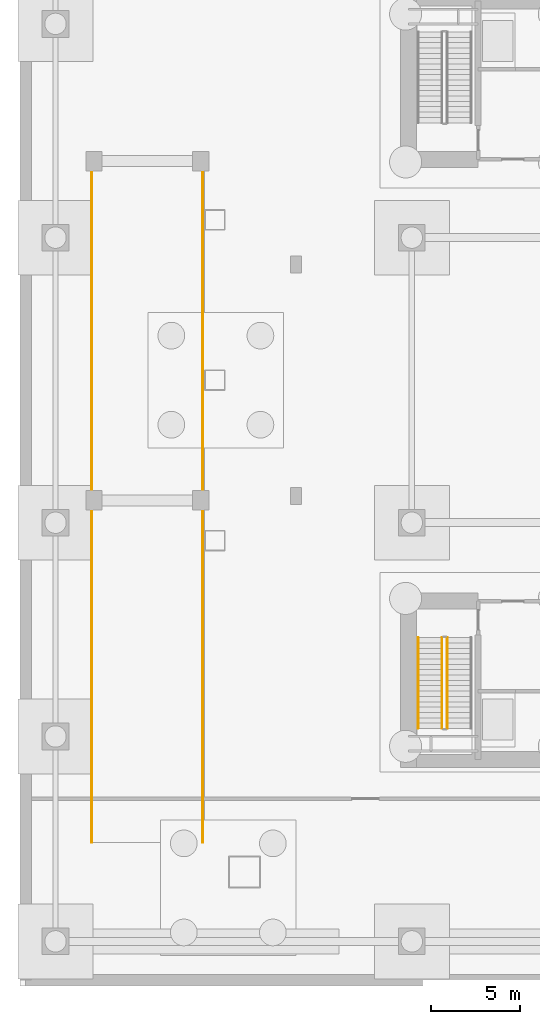
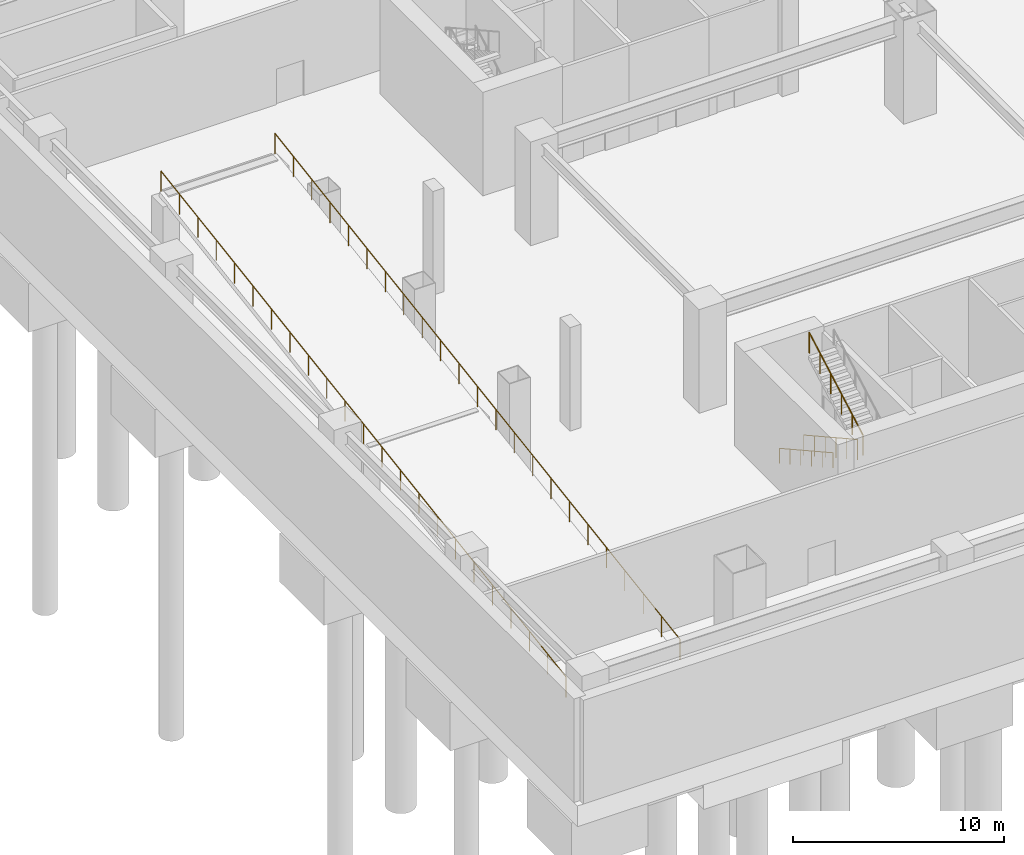
# One storey, part 15 of 20: 5 railings.
"""IFC4 building model written with IfcOpenShell, lengths in metres."""

import ifcopenshell
import ifcopenshell.guid

model = None  # the IFC model being written
_history = None  # IfcOwnerHistory: only IFC2X3 demands one
_inside = {}  # id of a spatial element -> (the spatial element, [elements in it])
_under = {}  # id of a project, library or spatial element -> (it, [spatial elements below it])
_declared = {}  # id of a project -> (the project, [libraries it declares])
_typed = {}  # id of a type object -> (the type object, [elements of that type])
_made_of = {}  # id of a material, layer set ... -> (it, [elements and type objects made of it])


def new_model(schema):
    """Start an empty IFC model of exactly this schema.

    Asked for "IFC4X3", IfcOpenShell would pick the latest addendum, in which some entities
    have other attributes; the version numbers below select the first issue.
    IFC2X3 requires an IfcOwnerHistory on every rooted entity: one is made here for all.
    """
    global model, _history
    if schema == "IFC4X3":
        model = ifcopenshell.file(schema_version=(4, 3, 0, 0))
    else:
        model = ifcopenshell.file(schema=schema)
    _inside.clear()
    _under.clear()
    _declared.clear()
    _typed.clear()
    _made_of.clear()
    _history = None
    if model.schema == "IFC2X3":
        org = make("IfcOrganization", Name="unknown")
        user = make(
            "IfcPersonAndOrganization",
            ThePerson=make("IfcPerson", FamilyName="unknown"),
            TheOrganization=org,
        )
        app = make(
            "IfcApplication",
            ApplicationDeveloper=org,
            Version="unknown",
            ApplicationFullName="unknown",
            ApplicationIdentifier="unknown",
        )
        _history = make(
            "IfcOwnerHistory",
            OwningUser=user,
            OwningApplication=app,
            ChangeAction="ADDED",
            CreationDate=0,
        )
    return model


def make(cls, **values):
    """One entity of the class cls with the attributes given. An attribute that is None is left unset."""
    return model.create_entity(
        cls, **{name: value for name, value in values.items() if value is not None}
    )


def rooted(cls, **values):
    """An entity with a GlobalId (a new one), such as an element, a storey or a relation."""
    return make(cls, GlobalId=ifcopenshell.guid.new(), OwnerHistory=_history, **values)


def si_unit(unit_type, name, prefix=None):
    """IfcSIUnit, for example si_unit("LENGTHUNIT", "METRE", prefix="MILLI")."""
    return make("IfcSIUnit", UnitType=unit_type, Prefix=prefix, Name=name)


def assignment(units):
    """IfcUnitAssignment: the units of a project."""
    return None if units is None else make("IfcUnitAssignment", Units=units)


def point(xyz):
    """IfcCartesianPoint."""
    return None if xyz is None else make("IfcCartesianPoint", Coordinates=xyz)


def direction(xyz):
    """IfcDirection."""
    return None if xyz is None else make("IfcDirection", DirectionRatios=xyz)


def frame(location, z_axis=None, x_axis=None):
    """IfcAxis2Placement3D, a coordinate frame: its origin and axes. An axis left out is left unset."""
    return make(
        "IfcAxis2Placement3D",
        Location=point(location),
        Axis=direction(z_axis),
        RefDirection=direction(x_axis),
    )


def frame_2d(location, x_axis=None):
    """IfcAxis2Placement2D, a coordinate frame in the plane: its origin and x axis."""
    return make(
        "IfcAxis2Placement2D", Location=point(location), RefDirection=direction(x_axis)
    )


def origin():
    """The frame at (0, 0, 0) with its axes left unset."""
    return frame((0.0, 0.0, 0.0))


def origin_2d():
    """The frame at (0, 0) in the plane with its x axis left unset."""
    return frame_2d((0.0, 0.0))


def place(relative_to, where):
    """IfcLocalPlacement: puts the frame where relative to a parent placement (None: the world)."""
    return make(
        "IfcLocalPlacement", PlacementRelTo=relative_to, RelativePlacement=where
    )


def context(
    kind, dimensions, precision=None, world=None, true_north=None, identifier=None
):
    """IfcGeometricRepresentationContext, for example the 3D "Model" context."""
    return make(
        "IfcGeometricRepresentationContext",
        ContextIdentifier=identifier,
        ContextType=kind,
        CoordinateSpaceDimension=dimensions,
        Precision=precision,
        WorldCoordinateSystem=world,
        TrueNorth=true_north,
    )


def subcontext(parent, identifier, kind, view, scale=None):
    """IfcGeometricRepresentationSubContext, for example "Body" below "Model"."""
    return make(
        "IfcGeometricRepresentationSubContext",
        ContextIdentifier=identifier,
        ContextType=kind,
        ParentContext=parent,
        TargetScale=scale,
        TargetView=view,
    )


def project(units=None, contexts=None):
    """IfcProject with its units and contexts."""
    return rooted(
        "IfcProject",
        Name="project",
        RepresentationContexts=contexts,
        UnitsInContext=assignment(units),
    )


def spatial(cls, under=None, at=None, **own):
    """A site, building, storey or space (cls), placed at a placement, below another one or the project."""
    s = rooted(cls, ObjectPlacement=at, **own)
    if under is not None:
        _under.setdefault(under.id(), (under, []))[1].append(s)
    return s


def profile(cls, at=None, kind="AREA", **sizes):
    """A parametric profile (cls). Its sizes go by their IFC names, for example OverallWidth=200.0."""
    return make(cls, ProfileType=kind, Position=at, **sizes)


def circle(**sizes):
    """IfcCircleProfileDef."""
    return profile("IfcCircleProfileDef", **sizes)


def extrude(swept, where, along, depth):
    """IfcExtrudedAreaSolid: the profile swept, set in the frame where, extruded along a direction by depth."""
    return make(
        "IfcExtrudedAreaSolid",
        SweptArea=swept,
        Position=where,
        ExtrudedDirection=direction(along),
        Depth=depth,
    )


def shape(context_of_items, identifier, shape_type, items):
    """IfcShapeRepresentation: the items that make up one representation, for example the "Body"."""
    return make(
        "IfcShapeRepresentation",
        ContextOfItems=context_of_items,
        RepresentationIdentifier=identifier,
        RepresentationType=shape_type,
        Items=items,
    )


def material(Name=None, Category=None):
    """IfcMaterial."""
    return make("IfcMaterial", Name=Name, Category=Category)


def made_of(thing, what):
    """Note that an element or type object is made of a material, layer set ...; save() writes the relation."""
    if what is not None:
        _made_of.setdefault(what.id(), (what, []))[1].append(thing)
    return thing


def type_object(cls, material=None, **own):
    """A type object (cls), such as IfcWallType, which elements share."""
    return made_of(rooted(cls, **own), material)


def element(
    cls,
    number,
    at=None,
    inside=None,
    cuts=None,
    type_object=None,
    material=None,
    context=None,
    identifier="Body",
    shape_type=None,
    held_by="IfcProductDefinitionShape",
    body=None,
    shapes=None,
    **own,
):
    """One element of the class cls, such as IfcWall. Its Tag is "e" and its number.

    at: its placement. inside: the storey or other place that contains it. cuts: it is an
    opening in that element (IfcRelVoidsElement). A single representation is given by context,
    identifier, shape_type and body (its items); several are given by shapes. held_by: the class
    of the entity that holds the representations. save() writes the other relations.
    """
    e = rooted(cls, Tag="e%d" % number, ObjectPlacement=at, **own)
    if body is not None:
        shapes = [shape(context, identifier, shape_type, body)]
    if shapes is not None:
        e.Representation = make(held_by, Representations=shapes)
    if inside is not None:
        _inside.setdefault(inside.id(), (inside, []))[1].append(e)
    if cuts is not None:
        rooted(
            "IfcRelVoidsElement", RelatingBuildingElement=cuts, RelatedOpeningElement=e
        )
    if type_object is not None:
        _typed.setdefault(type_object.id(), (type_object, []))[1].append(e)
    return made_of(e, material)


def aggregate(whole, parts):
    """IfcRelAggregates: a whole, such as a stair, and the parts it consists of."""
    return rooted("IfcRelAggregates", RelatingObject=whole, RelatedObjects=parts)


def save(model, path):
    """Write the relations noted so far, then the file.

    IfcRelAggregates (storeys below a building ...), IfcRelContainedInSpatialStructure (elements
    in a storey), IfcRelDefinesByType, IfcRelAssociatesMaterial and IfcRelDeclares: one each for
    every whole, place, type object, material and project.
    """
    for whole, parts in _under.values():
        aggregate(whole, parts)
    for where, things in _inside.values():
        rooted(
            "IfcRelContainedInSpatialStructure",
            RelatedElements=things,
            RelatingStructure=where,
        )
    for kind, things in _typed.values():
        rooted("IfcRelDefinesByType", RelatedObjects=things, RelatingType=kind)
    for what, things in _made_of.values():
        rooted("IfcRelAssociatesMaterial", RelatedObjects=things, RelatingMaterial=what)
    for by, libraries in _declared.values():
        rooted("IfcRelDeclares", RelatingContext=by, RelatedDefinitions=libraries)
    model.write(path)


model = new_model("IFC4")

# Units and contexts
model_context = context("Model", 3, precision=1e-05, world=origin(), true_north=direction((0.0, 1.0)))
body_context = subcontext(model_context, "Body", "Model", "MODEL_VIEW")
ifc_project = project(units=[si_unit("LENGTHUNIT", "METRE"), si_unit("AREAUNIT", "SQUARE_METRE"), si_unit("VOLUMEUNIT", "CUBIC_METRE"), si_unit("PLANEANGLEUNIT", "RADIAN"), si_unit("MASSUNIT", "GRAM", prefix="KILO")], contexts=[model_context])

# Site, building, storey
site_placement = place(None, origin())
site = spatial("IfcSite", under=ifc_project, at=site_placement, CompositionType="ELEMENT")
building_placement = place(site_placement, origin())
building = spatial("IfcBuilding", under=site, at=building_placement, Name="Qiaolan Cultural Towers", CompositionType="ELEMENT")
storey_placement = place(building_placement, frame((0.0, 0.0, -12.0)))
storey = spatial("IfcBuildingStorey", under=building, at=storey_placement, Name="B2", CompositionType="ELEMENT", Elevation=-12.0)

# Railings
ifc_material_1 = material(Name="Laminated SentryGlas & Stainless Steel S31608 Balustrade", Category="steel")
railing_type_1 = type_object("IfcRailingType", Name="GRD-TERR-1200", PredefinedType="BALUSTRADE", material=ifc_material_1)
railing_1_placement = place(storey_placement, frame((4.030029296875, 8.050048828125, 0.0)))
element("IfcRailing", 1, at=railing_1_placement, inside=storey, type_object=railing_type_1, Name="Vehicle Ramp B2-B1 West Flight Guardrail", PredefinedType="BALUSTRADE", context=body_context, shape_type="SweptSolid", body=[
    extrude(circle(Radius=0.02392578125, at=origin_2d()), frame((0.0, 0.0, 1.17578125), z_axis=(0.0, 0.9880426051, 0.154181096462), x_axis=(-1.0, 0.0, 0.0)), (0.0, 0.0, 1.0), 38.915283203125),
    extrude(circle(Radius=0.02099609375, at=origin_2d()), origin(), (0.0, 0.0, 1.0), 1.15185546875),
    extrude(circle(Radius=0.02099609375, at=origin_2d()), frame((0.0, 1.747802734375, 0.272705078125)), (0.0, 0.0, 1.0), 1.15185546875),
    extrude(circle(Radius=0.02099609375, at=origin_2d()), frame((0.0, 3.495361328125, 0.54541015625)), (0.0, 0.0, 1.0), 1.15185546875),
    extrude(circle(Radius=0.02099609375, at=origin_2d()), frame((0.0, 5.2431640625, 0.818115234375)), (0.0, 0.0, 1.0), 1.15185546875),
    extrude(circle(Radius=0.02099609375, at=origin_2d()), frame((0.0, 6.990966796875, 1.0908203125)), (0.0, 0.0, 1.0), 1.15185546875),
    extrude(circle(Radius=0.02099609375, at=origin_2d()), frame((0.0, 8.738525390625, 1.363525390625)), (0.0, 0.0, 1.0), 1.15185546875),
    extrude(circle(Radius=0.02099609375, at=origin_2d()), frame((0.0, 10.486328125, 1.636474609375)), (0.0, 0.0, 1.0), 1.15185546875),
    extrude(circle(Radius=0.02099609375, at=origin_2d()), frame((0.0, 12.234130859375, 1.9091796875)), (0.0, 0.0, 1.0), 1.15185546875),
    extrude(circle(Radius=0.02099609375, at=origin_2d()), frame((0.0, 13.981689453125, 2.181884765625)), (0.0, 0.0, 1.0), 1.15185546875),
    extrude(circle(Radius=0.02099609375, at=origin_2d()), frame((0.0, 15.7294921875, 2.45458984375)), (0.0, 0.0, 1.0), 1.15185546875),
    extrude(circle(Radius=0.02099609375, at=origin_2d()), frame((0.0, 17.477294921875, 2.727294921875)), (0.0, 0.0, 1.0), 1.15185546875),
    extrude(circle(Radius=0.02099609375, at=origin_2d()), frame((0.0, 19.22509765625, 3.0)), (0.0, 0.0, 1.0), 1.15185546875),
    extrude(circle(Radius=0.02099609375, at=origin_2d()), frame((0.0, 20.97265625, 3.272705078125)), (0.0, 0.0, 1.0), 1.15185546875),
    extrude(circle(Radius=0.02099609375, at=origin_2d()), frame((0.0, 22.720458984375, 3.54541015625)), (0.0, 0.0, 1.0), 1.15185546875),
    extrude(circle(Radius=0.02099609375, at=origin_2d()), frame((0.0, 24.46826171875, 3.818115234375)), (0.0, 0.0, 1.0), 1.15185546875),
    extrude(circle(Radius=0.02099609375, at=origin_2d()), frame((0.0, 26.2158203125, 4.0908203125)), (0.0, 0.0, 1.0), 1.15185546875),
    extrude(circle(Radius=0.02099609375, at=origin_2d()), frame((0.0, 27.963623046875, 4.363525390625)), (0.0, 0.0, 1.0), 1.15185546875),
    extrude(circle(Radius=0.02099609375, at=origin_2d()), frame((0.0, 29.71142578125, 4.636474609375)), (0.0, 0.0, 1.0), 1.15185546875),
    extrude(circle(Radius=0.02099609375, at=origin_2d()), frame((0.0, 31.458984375, 4.9091796875)), (0.0, 0.0, 1.0), 1.15185546875),
    extrude(circle(Radius=0.02099609375, at=origin_2d()), frame((0.0, 33.206787109375, 5.181884765625)), (0.0, 0.0, 1.0), 1.15185546875),
    extrude(circle(Radius=0.02099609375, at=origin_2d()), frame((0.0, 34.95458984375, 5.45458984375)), (0.0, 0.0, 1.0), 1.15185546875),
    extrude(circle(Radius=0.02099609375, at=origin_2d()), frame((0.0, 36.7021484375, 5.727294921875)), (0.0, 0.0, 1.0), 1.15185546875),
    extrude(circle(Radius=0.02099609375, at=origin_2d()), frame((0.0, 38.449951171875, 6.0)), (0.0, 0.0, 1.0), 1.15185546875),
])
railing_2_placement = place(storey_placement, frame((10.27001953125, 8.050048828125, 0.0)))
element("IfcRailing", 2, at=railing_2_placement, inside=storey, type_object=railing_type_1, Name="Vehicle Ramp B2-B1 East Flight Guardrail", PredefinedType="BALUSTRADE", context=body_context, shape_type="SweptSolid", body=[
    extrude(circle(Radius=0.02392578125, at=origin_2d()), frame((0.0, 0.0, 1.17578125), z_axis=(0.0, 0.9880426051, 0.154181096462), x_axis=(-1.0, 0.0, 0.0)), (0.0, 0.0, 1.0), 38.915283203125),
    extrude(circle(Radius=0.02099609375, at=origin_2d()), origin(), (0.0, 0.0, 1.0), 1.15185546875),
    extrude(circle(Radius=0.02099609375, at=origin_2d()), frame((0.0, 1.747802734375, 0.272705078125)), (0.0, 0.0, 1.0), 1.15185546875),
    extrude(circle(Radius=0.02099609375, at=origin_2d()), frame((0.0, 3.495361328125, 0.54541015625)), (0.0, 0.0, 1.0), 1.15185546875),
    extrude(circle(Radius=0.02099609375, at=origin_2d()), frame((0.0, 5.2431640625, 0.818115234375)), (0.0, 0.0, 1.0), 1.15185546875),
    extrude(circle(Radius=0.02099609375, at=origin_2d()), frame((0.0, 6.990966796875, 1.0908203125)), (0.0, 0.0, 1.0), 1.15185546875),
    extrude(circle(Radius=0.02099609375, at=origin_2d()), frame((0.0, 8.738525390625, 1.363525390625)), (0.0, 0.0, 1.0), 1.15185546875),
    extrude(circle(Radius=0.02099609375, at=origin_2d()), frame((0.0, 10.486328125, 1.636474609375)), (0.0, 0.0, 1.0), 1.15185546875),
    extrude(circle(Radius=0.02099609375, at=origin_2d()), frame((0.0, 12.234130859375, 1.9091796875)), (0.0, 0.0, 1.0), 1.15185546875),
    extrude(circle(Radius=0.02099609375, at=origin_2d()), frame((0.0, 13.981689453125, 2.181884765625)), (0.0, 0.0, 1.0), 1.15185546875),
    extrude(circle(Radius=0.02099609375, at=origin_2d()), frame((0.0, 15.7294921875, 2.45458984375)), (0.0, 0.0, 1.0), 1.15185546875),
    extrude(circle(Radius=0.02099609375, at=origin_2d()), frame((0.0, 17.477294921875, 2.727294921875)), (0.0, 0.0, 1.0), 1.15185546875),
    extrude(circle(Radius=0.02099609375, at=origin_2d()), frame((0.0, 19.22509765625, 3.0)), (0.0, 0.0, 1.0), 1.15185546875),
    extrude(circle(Radius=0.02099609375, at=origin_2d()), frame((0.0, 20.97265625, 3.272705078125)), (0.0, 0.0, 1.0), 1.15185546875),
    extrude(circle(Radius=0.02099609375, at=origin_2d()), frame((0.0, 22.720458984375, 3.54541015625)), (0.0, 0.0, 1.0), 1.15185546875),
    extrude(circle(Radius=0.02099609375, at=origin_2d()), frame((0.0, 24.46826171875, 3.818115234375)), (0.0, 0.0, 1.0), 1.15185546875),
    extrude(circle(Radius=0.02099609375, at=origin_2d()), frame((0.0, 26.2158203125, 4.0908203125)), (0.0, 0.0, 1.0), 1.15185546875),
    extrude(circle(Radius=0.02099609375, at=origin_2d()), frame((0.0, 27.963623046875, 4.363525390625)), (0.0, 0.0, 1.0), 1.15185546875),
    extrude(circle(Radius=0.02099609375, at=origin_2d()), frame((0.0, 29.71142578125, 4.636474609375)), (0.0, 0.0, 1.0), 1.15185546875),
    extrude(circle(Radius=0.02099609375, at=origin_2d()), frame((0.0, 31.458984375, 4.9091796875)), (0.0, 0.0, 1.0), 1.15185546875),
    extrude(circle(Radius=0.02099609375, at=origin_2d()), frame((0.0, 33.206787109375, 5.181884765625)), (0.0, 0.0, 1.0), 1.15185546875),
    extrude(circle(Radius=0.02099609375, at=origin_2d()), frame((0.0, 34.95458984375, 5.45458984375)), (0.0, 0.0, 1.0), 1.15185546875),
    extrude(circle(Radius=0.02099609375, at=origin_2d()), frame((0.0, 36.7021484375, 5.727294921875)), (0.0, 0.0, 1.0), 1.15185546875),
    extrude(circle(Radius=0.02099609375, at=origin_2d()), frame((0.0, 38.449951171875, 6.0)), (0.0, 0.0, 1.0), 1.15185546875),
])
ifc_material_2 = material(Name="Galvanized Painted Steel Stair Guardrail", Category="steel")
railing_type_2 = type_object("IfcRailingType", Name="RL-STAIR-GRD", PredefinedType="GUARDRAIL", material=ifc_material_2)
railing_3_placement = place(storey_placement, frame((23.68994140625, 19.550048828125, 0.166748046875)))
element("IfcRailing", 3, at=railing_3_placement, inside=storey, type_object=railing_type_2, Name="B2 ST-W1 stair guard 1", PredefinedType="GUARDRAIL", context=body_context, shape_type="SweptSolid", body=[
    extrude(circle(Radius=0.02392578125, at=origin_2d()), frame((0.0, 0.0, 1.17578125), z_axis=(0.0, -0.874167145328, 0.485625166182), x_axis=(1.0, 0.0, 0.0)), (0.0, 0.0, 1.0), 5.834228515625),
    extrude(circle(Radius=0.02099609375, at=origin_2d()), origin(), (0.0, 0.0, 1.0), 1.15185546875),
    extrude(circle(Radius=0.02099609375, at=origin_2d()), frame((0.0, -1.02001953125, 0.566650390625)), (0.0, 0.0, 1.0), 1.15185546875),
    extrude(circle(Radius=0.02099609375, at=origin_2d()), frame((0.0, -2.0400390625, 1.13330078125)), (0.0, 0.0, 1.0), 1.15185546875),
    extrude(circle(Radius=0.02099609375, at=origin_2d()), frame((0.0, -3.06005859375, 1.699951171875)), (0.0, 0.0, 1.0), 1.15185546875),
    extrude(circle(Radius=0.02099609375, at=origin_2d()), frame((0.0, -4.080078125, 2.2666015625)), (0.0, 0.0, 1.0), 1.15185546875),
    extrude(circle(Radius=0.02099609375, at=origin_2d()), frame((0.0, -5.10009765625, 2.833251953125)), (0.0, 0.0, 1.0), 1.15185546875),
])
railing_4_placement = place(storey_placement, frame((23.989990234375, 14.449951171875, 3.166748046875)))
element("IfcRailing", 4, at=railing_4_placement, inside=storey, type_object=railing_type_2, Name="B2 ST-W1 stair guard 3", PredefinedType="GUARDRAIL", context=body_context, shape_type="SweptSolid", body=[
    extrude(circle(Radius=0.02392578125, at=origin_2d()), frame((0.0, 0.0, 1.17578125), z_axis=(0.0, 0.874167145328, 0.485625166182), x_axis=(-1.0, 0.0, 0.0)), (0.0, 0.0, 1.0), 5.834228515625),
    extrude(circle(Radius=0.02099609375, at=origin_2d()), origin(), (0.0, 0.0, 1.0), 1.15185546875),
    extrude(circle(Radius=0.02099609375, at=origin_2d()), frame((0.0, 1.02001953125, 0.566650390625)), (0.0, 0.0, 1.0), 1.15185546875),
    extrude(circle(Radius=0.02099609375, at=origin_2d()), frame((0.0, 2.0400390625, 1.13330078125)), (0.0, 0.0, 1.0), 1.15185546875),
    extrude(circle(Radius=0.02099609375, at=origin_2d()), frame((0.0, 3.06005859375, 1.699951171875)), (0.0, 0.0, 1.0), 1.15185546875),
    extrude(circle(Radius=0.02099609375, at=origin_2d()), frame((0.0, 4.080078125, 2.2666015625)), (0.0, 0.0, 1.0), 1.15185546875),
    extrude(circle(Radius=0.02099609375, at=origin_2d()), frame((0.0, 5.10009765625, 2.833251953125)), (0.0, 0.0, 1.0), 1.15185546875),
])
ifc_material_3 = material(Name="Stainless Steel S30408 Tubular Handrail", Category="steel")
railing_type_3 = type_object("IfcRailingType", Name="RL-STAIR-HR", PredefinedType="HANDRAIL", material=ifc_material_3)
railing_5_placement = place(storey_placement, frame((22.35009765625, 19.550048828125, 0.166748046875)))
element("IfcRailing", 5, at=railing_5_placement, inside=storey, type_object=railing_type_3, Name="B2 ST-W1 stair handrail 1", PredefinedType="HANDRAIL", context=body_context, shape_type="SweptSolid", body=[
    extrude(circle(Radius=0.02392578125, at=origin_2d()), frame((0.0, 0.0, 0.8759765625), z_axis=(0.0, -0.874167145328, 0.485625166182), x_axis=(1.0, 0.0, 0.0)), (0.0, 0.0, 1.0), 5.834228515625),
    extrude(circle(Radius=0.02099609375, at=origin_2d()), origin(), (0.0, 0.0, 1.0), 0.851806640625),
    extrude(circle(Radius=0.02099609375, at=origin_2d()), frame((0.0, -1.02001953125, 0.566650390625)), (0.0, 0.0, 1.0), 0.851806640625),
    extrude(circle(Radius=0.02099609375, at=origin_2d()), frame((0.0, -2.0400390625, 1.13330078125)), (0.0, 0.0, 1.0), 0.851806640625),
    extrude(circle(Radius=0.02099609375, at=origin_2d()), frame((0.0, -3.06005859375, 1.699951171875)), (0.0, 0.0, 1.0), 0.851806640625),
    extrude(circle(Radius=0.02099609375, at=origin_2d()), frame((0.0, -4.080078125, 2.2666015625)), (0.0, 0.0, 1.0), 0.851806640625),
    extrude(circle(Radius=0.02099609375, at=origin_2d()), frame((0.0, -5.10009765625, 2.833251953125)), (0.0, 0.0, 1.0), 0.851806640625),
])

save(model, "model.ifc")
